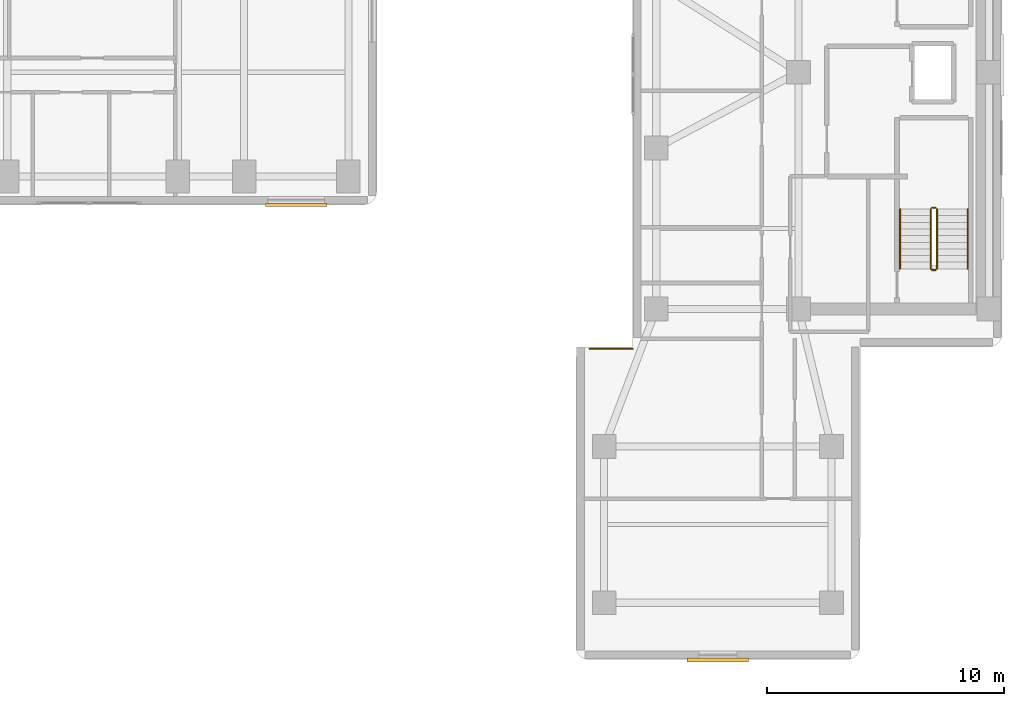
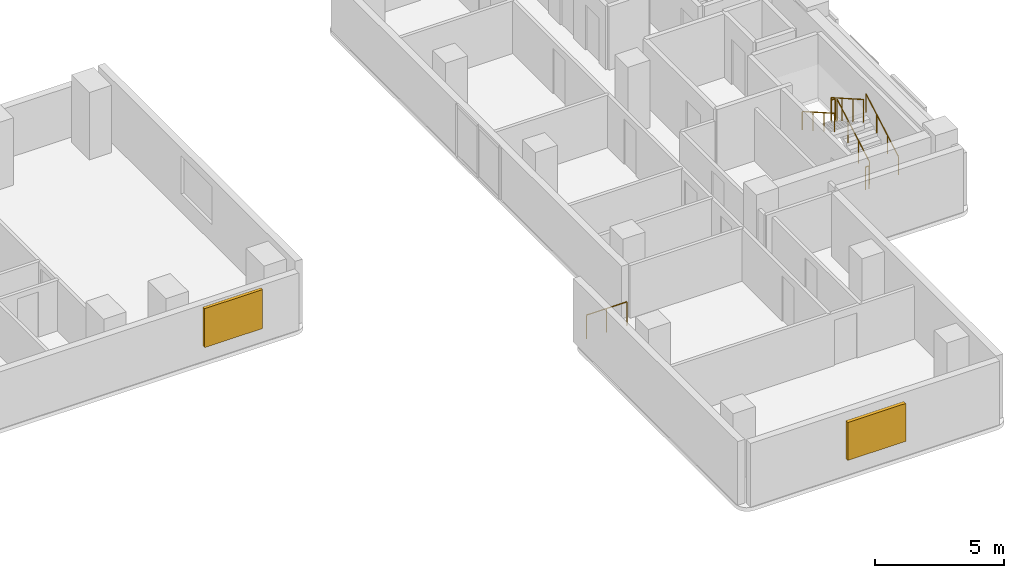
# One storey, part 17 of 18: 7 railings, 2 shading devices.
"""IFC4 building model written with IfcOpenShell, lengths in metres."""

from ifc_helpers import new_model, si_unit, direction, frame, origin, origin_2d, place, context, subcontext, project, spatial, rectangle, circle, extrude, material, layer, layer_set, type_object, element, save


model = new_model("IFC4")

# Units and contexts
model_context = context("Model", 3, precision=1e-05, world=origin(), true_north=direction((0.0, 1.0)))
body_context = subcontext(model_context, "Body", "Model", "MODEL_VIEW")
ifc_project = project(units=[si_unit("LENGTHUNIT", "METRE"), si_unit("AREAUNIT", "SQUARE_METRE"), si_unit("VOLUMEUNIT", "CUBIC_METRE"), si_unit("PLANEANGLEUNIT", "RADIAN"), si_unit("MASSUNIT", "GRAM", prefix="KILO")], contexts=[model_context])

# Site, building, storey
site_placement = place(None, origin())
site = spatial("IfcSite", under=ifc_project, at=site_placement, CompositionType="ELEMENT")
building_placement = place(site_placement, origin())
building = spatial("IfcBuilding", under=site, at=building_placement, Name="Kuzgunbayir Cultural Tower", CompositionType="ELEMENT")
storey_placement = place(building_placement, frame((0.0, 0.0, 53.199951171875)))
storey = spatial("IfcBuildingStorey", under=building, at=storey_placement, Name="L14", CompositionType="ELEMENT", Elevation=53.199951171875)

# Railings
ifc_material_1 = material(Name="Laminated Glass and Stainless Steel", Category="steel")
ifc_layer_1 = layer(ifc_material_1, 0.080078125)
ifc_layer_set_1 = layer_set([ifc_layer_1], Name="Laminated Glass and Stainless Steel")
railing_type_1 = type_object("IfcRailingType", Name="RLG-BAL-115", PredefinedType="BALUSTRADE", material=ifc_layer_set_1)
railing_1_placement = place(storey_placement, frame((55.7900390625, 20.320068359375, 0.0)))
element("IfcRailing", 1, at=railing_1_placement, inside=storey, type_object=railing_type_1, Name="L14 Perimeter Edge Guard 1", PredefinedType="BALUSTRADE", context=body_context, shape_type="SweptSolid", body=[
    extrude(circle(Radius=0.02392578125, at=origin_2d()), frame((0.0, 0.0, 1.1259765625), z_axis=(1.0, 0.0, 0.0), x_axis=(0.0, 1.0, 0.0)), (0.0, 0.0, 1.0), 1.81005859375),
    extrude(circle(Radius=0.02099609375, at=origin_2d()), origin(), (0.0, 0.0, 1.0), 1.101806640625),
    extrude(circle(Radius=0.02099609375, at=origin_2d()), frame((0.905029296875, 0.0, 0.0)), (0.0, 0.0, 1.0), 1.101806640625),
    extrude(circle(Radius=0.02099609375, at=origin_2d()), frame((1.81005859375, 0.0, 0.0)), (0.0, 0.0, 1.0), 1.101806640625),
])
ifc_material_2 = material(Name="Brushed Stainless Steel", Category="steel")
ifc_layer_2 = layer(ifc_material_2, 0.050048828125)
ifc_layer_set_2 = layer_set([ifc_layer_2], Name="Brushed Stainless Steel")
railing_type_2 = type_object("IfcRailingType", Name="RLG-STAIR-HANDRAIL", PredefinedType="HANDRAIL", material=ifc_layer_set_2)
railing_2_placement = place(storey_placement, frame((71.75, 23.699951171875, 0.16015625)))
element("IfcRailing", 2, at=railing_2_placement, inside=storey, type_object=railing_type_2, Name="L14 ST-3 stair handrail 1", PredefinedType="HANDRAIL", context=body_context, shape_type="SweptSolid", body=[
    extrude(circle(Radius=0.02392578125, at=origin_2d()), frame((0.0, 0.0, 0.8759765625), z_axis=(0.0, 0.868253494771, 0.496120820787), x_axis=(-1.0, 0.0, 0.0)), (0.0, 0.0, 1.0), 2.90234375),
    extrude(circle(Radius=0.02099609375, at=origin_2d()), origin(), (0.0, 0.0, 1.0), 0.851806640625),
    extrude(circle(Radius=0.02099609375, at=origin_2d()), frame((0.0, 0.840087890625, 0.47998046875)), (0.0, 0.0, 1.0), 0.851806640625),
    extrude(circle(Radius=0.02099609375, at=origin_2d()), frame((0.0, 1.679931640625, 0.9599609375)), (0.0, 0.0, 1.0), 0.851806640625),
    extrude(circle(Radius=0.02099609375, at=origin_2d()), frame((0.0, 2.52001953125, 1.43994140625)), (0.0, 0.0, 1.0), 0.851806640625),
])
railing_3_placement = place(storey_placement, frame((68.889892578125, 26.219970703125, 1.760009765625)))
element("IfcRailing", 3, at=railing_3_placement, inside=storey, type_object=railing_type_2, Name="L14 ST-3 stair handrail 2", PredefinedType="HANDRAIL", context=body_context, shape_type="SweptSolid", body=[
    extrude(circle(Radius=0.02392578125, at=origin_2d()), frame((0.0, 0.0, 0.8759765625), z_axis=(0.0, -0.868253494771, 0.496120820787), x_axis=(1.0, 0.0, 0.0)), (0.0, 0.0, 1.0), 2.90234375),
    extrude(circle(Radius=0.02099609375, at=origin_2d()), origin(), (0.0, 0.0, 1.0), 0.851806640625),
    extrude(circle(Radius=0.02099609375, at=origin_2d()), frame((0.0, -0.840087890625, 0.47998046875)), (0.0, 0.0, 1.0), 0.851806640625),
    extrude(circle(Radius=0.02099609375, at=origin_2d()), frame((0.0, -1.679931640625, 0.9599609375)), (0.0, 0.0, 1.0), 0.851806640625),
    extrude(circle(Radius=0.02099609375, at=origin_2d()), frame((0.0, -2.52001953125, 1.43994140625)), (0.0, 0.0, 1.0), 0.851806640625),
])
ifc_material_3 = material(Name="Painted Steel Balustrade", Category="steel")
ifc_layer_3 = layer(ifc_material_3, 0.06005859375)
ifc_layer_set_3 = layer_set([ifc_layer_3], Name="Painted Steel Balustrade")
railing_type_3 = type_object("IfcRailingType", Name="RLG-WELL-GUARD", PredefinedType="GUARDRAIL", material=ifc_layer_set_3)
railing_4_placement = place(storey_placement, frame((70.449951171875, 23.699951171875, 0.16015625)))
element("IfcRailing", 4, at=railing_4_placement, inside=storey, type_object=railing_type_3, Name="L14 ST-3 stair guard 1", PredefinedType="GUARDRAIL", context=body_context, shape_type="SweptSolid", body=[
    extrude(circle(Radius=0.02392578125, at=origin_2d()), frame((0.0, 0.0, 1.076171875), z_axis=(0.0, 0.868253494771, 0.496120820787), x_axis=(-1.0, 0.0, 0.0)), (0.0, 0.0, 1.0), 2.90234375),
    extrude(circle(Radius=0.02099609375, at=origin_2d()), origin(), (0.0, 0.0, 1.0), 1.052001953125),
    extrude(circle(Radius=0.02099609375, at=origin_2d()), frame((0.0, 0.840087890625, 0.47998046875)), (0.0, 0.0, 1.0), 1.052001953125),
    extrude(circle(Radius=0.02099609375, at=origin_2d()), frame((0.0, 1.679931640625, 0.9599609375)), (0.0, 0.0, 1.0), 1.052001953125),
    extrude(circle(Radius=0.02099609375, at=origin_2d()), frame((0.0, 2.52001953125, 1.43994140625)), (0.0, 0.0, 1.0), 1.052001953125),
])
railing_5_placement = place(storey_placement, frame((70.39990234375, 26.27001953125, 1.60009765625)))
element("IfcRailing", 5, at=railing_5_placement, inside=storey, type_object=railing_type_3, Name="L14 ST-3 stair guard 2", PredefinedType="GUARDRAIL", context=body_context, shape_type="SweptSolid", body=[
    extrude(circle(Radius=0.02392578125, at=origin_2d()), frame((0.0, 0.0, 1.076171875), z_axis=(-1.0, 0.0, 0.0), x_axis=(0.0, -1.0, 0.0)), (0.0, 0.0, 1.0), 0.159912109375),
    extrude(circle(Radius=0.02099609375, at=origin_2d()), origin(), (0.0, 0.0, 1.0), 1.052001953125),
    extrude(circle(Radius=0.02099609375, at=origin_2d()), frame((-0.159912109375, 0.0, 0.0)), (0.0, 0.0, 1.0), 1.052001953125),
])
railing_6_placement = place(storey_placement, frame((70.18994140625, 26.219970703125, 1.760009765625)))
element("IfcRailing", 6, at=railing_6_placement, inside=storey, type_object=railing_type_3, Name="L14 ST-3 stair guard 3", PredefinedType="GUARDRAIL", context=body_context, shape_type="SweptSolid", body=[
    extrude(circle(Radius=0.02392578125, at=origin_2d()), frame((0.0, 0.0, 1.076171875), z_axis=(0.0, -0.868253494771, 0.496120820787), x_axis=(1.0, 0.0, 0.0)), (0.0, 0.0, 1.0), 2.90234375),
    extrude(circle(Radius=0.02099609375, at=origin_2d()), origin(), (0.0, 0.0, 1.0), 1.052001953125),
    extrude(circle(Radius=0.02099609375, at=origin_2d()), frame((0.0, -0.840087890625, 0.47998046875)), (0.0, 0.0, 1.0), 1.052001953125),
    extrude(circle(Radius=0.02099609375, at=origin_2d()), frame((0.0, -1.679931640625, 0.9599609375)), (0.0, 0.0, 1.0), 1.052001953125),
    extrude(circle(Radius=0.02099609375, at=origin_2d()), frame((0.0, -2.52001953125, 1.43994140625)), (0.0, 0.0, 1.0), 1.052001953125),
])
railing_7_placement = place(storey_placement, frame((70.39990234375, 23.64990234375, 0.0)))
element("IfcRailing", 7, at=railing_7_placement, inside=storey, type_object=railing_type_3, Name="L14 ST-3 stair guard 4", PredefinedType="GUARDRAIL", context=body_context, shape_type="SweptSolid", body=[
    extrude(circle(Radius=0.02392578125, at=origin_2d()), frame((0.0, 0.0, 1.076171875), z_axis=(-1.0, 0.0, 0.0), x_axis=(0.0, -1.0, 0.0)), (0.0, 0.0, 1.0), 0.159912109375),
    extrude(circle(Radius=0.02099609375, at=origin_2d()), origin(), (0.0, 0.0, 1.0), 1.052001953125),
    extrude(circle(Radius=0.02099609375, at=origin_2d()), frame((-0.159912109375, 0.0, 0.0)), (0.0, 0.0, 1.0), 1.052001953125),
])

# Shading devices
ifc_material_4 = material(Name="Perforated Bronze-Anodised Aluminium", Category="aluminium")
shading_device_type_1 = type_object("IfcShadingDeviceType", Name="SHD-SOLAR-BRONZE", PredefinedType="JALOUSIE", material=ifc_material_4)
shading_device_1_placement = place(storey_placement, frame((43.39990234375, 26.389892578125, 0.735107421875), z_axis=(0.0, 0.0, 1.0), x_axis=(1.0, 0.0, 0.0)))
element("IfcShadingDevice", 8, at=shading_device_1_placement, inside=storey, type_object=shading_device_type_1, Name="L14 Solar Screen WBS13", PredefinedType="JALOUSIE", context=body_context, shape_type="SweptSolid", body=[
    extrude(rectangle(XDim=2.60009765625, YDim=0.139892578125, at=origin_2d()), origin(), (0.0, 0.0, 1.0), 1.85009765625),
])
ifc_material_5 = material(Name="Warm Terracotta Ceramic Baguette", Category="masonry")
shading_device_type_2 = type_object("IfcShadingDeviceType", Name="SHD-SOLAR-CERAMIC", PredefinedType="SHUTTER", material=ifc_material_5)
shading_device_2_placement = place(storey_placement, frame((61.199951171875, 7.179931640625, 0.7998046875), z_axis=(0.0, 0.0, 1.0), x_axis=(1.0, 0.0, 0.0)))
element("IfcShadingDevice", 9, at=shading_device_2_placement, inside=storey, type_object=shading_device_type_2, Name="L14 Companion Ceramic Solar Screen S1", PredefinedType="SHUTTER", context=body_context, shape_type="SweptSolid", body=[
    extrude(rectangle(XDim=2.60009765625, YDim=0.159912109375, at=origin_2d()), origin(), (0.0, 0.0, 1.0), 1.800048828125),
])

save(model, "model.ifc")
